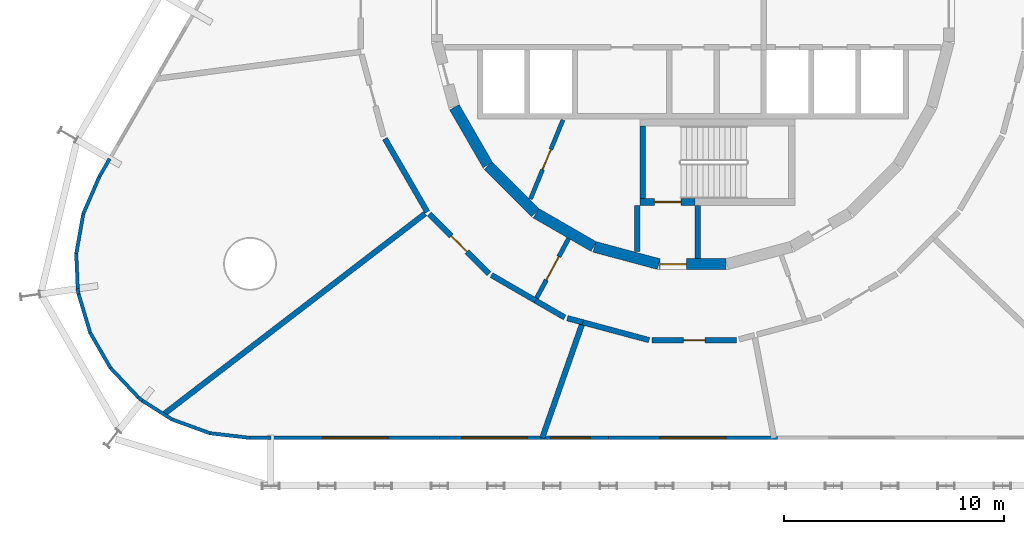
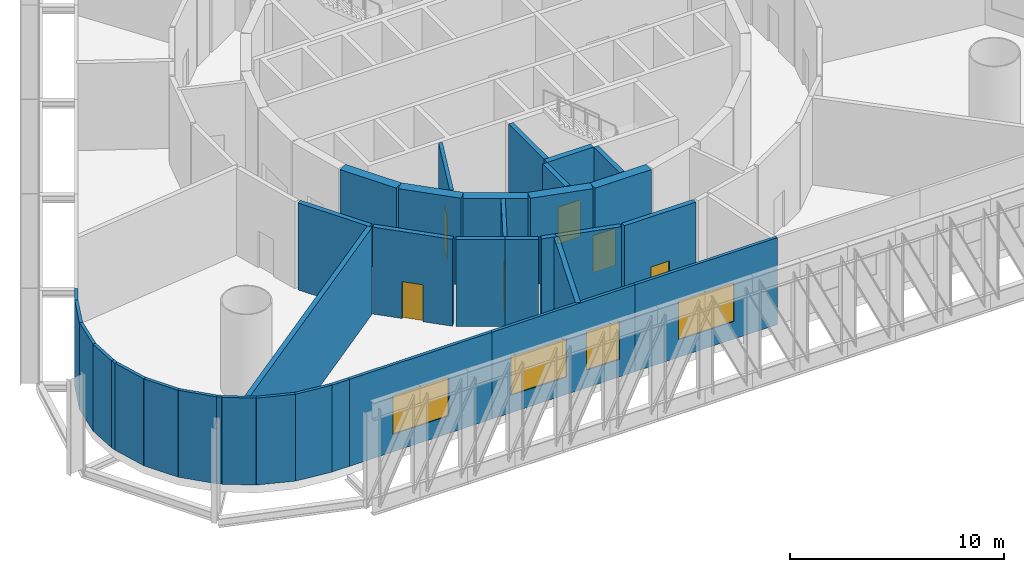
# One storey, part 5 of 11: 36 walls, 6 doors, 4 windows, 10 openings.
"""IFC4 building model written with IfcOpenShell, lengths in metres."""

from ifc_helpers import new_model, si_unit, direction, frame, frame_2d, origin, place, context, subcontext, project, spatial, rectangle, extrude, material, layer, layer_set, type_object, element, fill, save


model = new_model("IFC4")

# Units and contexts
model_context = context("Model", 3, precision=1e-05, world=origin(), true_north=direction((0.0, 1.0)))
body_context = subcontext(model_context, "Body", "Model", "MODEL_VIEW")
ifc_project = project(units=[si_unit("LENGTHUNIT", "METRE"), si_unit("AREAUNIT", "SQUARE_METRE"), si_unit("VOLUMEUNIT", "CUBIC_METRE"), si_unit("PLANEANGLEUNIT", "RADIAN"), si_unit("MASSUNIT", "GRAM", prefix="KILO")], contexts=[model_context])

# Site, building, storey
site_placement = place(None, origin())
site = spatial("IfcSite", under=ifc_project, at=site_placement, CompositionType="ELEMENT")
building_placement = place(site_placement, origin())
building = spatial("IfcBuilding", under=site, at=building_placement, Name="Spindle Arch Residences", CompositionType="ELEMENT")
storey_placement = place(building_placement, frame((0.0, 0.0, 33.0)))
storey = spatial("IfcBuildingStorey", under=building, at=storey_placement, Name="L06", CompositionType="ELEMENT", Elevation=33.0)

# Walls
ifc_material_1 = material(Name="Concrete C50/60", Category="concrete")
ifc_layer_1 = layer(ifc_material_1, 0.5)
ifc_layer_set_1 = layer_set([ifc_layer_1], Name="Core outline wall 500")
wall_type_1 = type_object("IfcWallType", Name="Core outline wall 500", PredefinedType="SHEAR", material=ifc_layer_set_1)
wall_1_placement = place(storey_placement, frame((-10.84521484375, -4.510498046875, 0.0), z_axis=(0.0, 0.0, 1.0), x_axis=(0.500087131594, -0.865975092491, 0.0)))
element("IfcWall", 1, at=wall_1_placement, inside=storey, type_object=wall_type_1, Name="Core outline wall 20", PredefinedType="SHEAR", context=body_context, shape_type="SweptSolid", body=[
    extrude(rectangle(XDim=3.03271484375, YDim=0.5, at=frame_2d((1.516357421875, 0.0))), origin(), (0.0, 0.0, 1.0), 4.949951171875),
])
wall_2_placement = place(storey_placement, frame((-9.30810546875, -7.163818359375, 0.0), z_axis=(0.0, 0.0, 1.0), x_axis=(0.707106781187, -0.707106781187, 0.0)))
element("IfcWall", 2, at=wall_2_placement, inside=storey, type_object=wall_type_1, Name="Core outline wall 21", PredefinedType="SHEAR", context=body_context, shape_type="SweptSolid", body=[
    extrude(rectangle(XDim=3.032470703125, YDim=0.5, at=frame_2d((1.51611328125, 0.0))), origin(), (0.0, 0.0, 1.0), 4.949951171875),
])
for number, where, z_axis, x_axis, name in (
    (3, (-7.13671875, -9.32861328125, 0.0), (0.0, 0.0, 1.0), (0.865975092491, -0.500087131594, 0.0), "Core outline wall 22"),
    (4, (-4.479248046875, -10.858154296875, 0.0), (0.0, 0.0, 1.0), (0.965948410781, -0.258734743916, 0.0), "Core outline wall 23"),
):
    element("IfcWall", number, at=place(storey_placement, frame(where, z_axis=z_axis, x_axis=x_axis)), inside=storey, type_object=wall_type_1, Name=name, PredefinedType="SHEAR", context=body_context, shape_type="SweptSolid", body=[
        extrude(rectangle(XDim=3.03271484375, YDim=0.5, at=frame_2d((1.516357421875, 0.0))), origin(), (0.0, 0.0, 1.0), 4.949951171875),
    ])

# Wall, opening, door
wall_3_placement = place(storey_placement, frame((-1.516357421875, -11.647216796875, 0.0), z_axis=(0.0, 0.0, 1.0), x_axis=(1.0, 0.0, 0.0)))
wall_3 = element("IfcWall", 5, at=wall_3_placement, inside=storey, type_object=wall_type_1, Name="Core outline wall 24", PredefinedType="SHEAR", context=body_context, shape_type="SweptSolid", body=[
    extrude(rectangle(XDim=3.03271484375, YDim=0.5, at=frame_2d((1.516357421875, 0.0))), origin(), (0.0, 0.0, 1.0), 4.949951171875),
])
opening_1_placement = place(wall_3_placement, frame((0.016357421875, 0.0, 0.0)))
opening_1 = element("IfcOpeningElement", 6, at=opening_1_placement, cuts=wall_3, Name="Opening L06-AD03", PredefinedType="OPENING", context=body_context, shape_type="SweptSolid", body=[
    extrude(rectangle(XDim=1.199951171875, YDim=2.10009765625, at=frame_2d((0.60009765625, 1.050048828125))), frame((0.0, 0.260009765625, 0.0), z_axis=(0.0, -1.0, 0.0), x_axis=(1.0, 0.0, 0.0)), (0.0, 0.0, 1.0), 0.52001953125),
])
ifc_material_2 = material(Name="Steel, fire-resisting door", Category="steel")
door_type_1 = type_object("IfcDoorType", Name="Stair airlock door 1200x2100", OperationType="SINGLE_SWING_LEFT", PredefinedType="DOOR", material=ifc_material_2)
door_1_placement = place(opening_1_placement, origin())
door_1 = element("IfcDoor", 7, at=door_1_placement, inside=storey, type_object=door_type_1, Name="Stair airlock door L06-AD03", OperationType="SINGLE_SWING_RIGHT", OverallHeight=2.10009765625, OverallWidth=1.199951171875, PredefinedType="DOOR", context=body_context, shape_type="SweptSolid", body=[
    extrude(rectangle(XDim=1.199951171875, YDim=2.10009765625, at=frame_2d((0.60009765625, 1.050048828125))), frame((0.0, 0.02490234375, 0.0), z_axis=(0.0, -1.0, 0.0), x_axis=(1.0, 0.0, 0.0)), (0.0, 0.0, 1.0), 0.050048828125),
])
fill(opening_1, door_1)

# Walls
ifc_material_3 = material(Name="Non-combustible mineral wool insulated aluminium faced external wall (K0)", Category="aluminium")
ifc_layer_2 = layer(ifc_material_3, 0.159912109375)
ifc_layer_set_2 = layer_set([ifc_layer_2], Name="Insulated external wall panel 160")
wall_type_2 = type_object("IfcWallType", Name="Insulated external wall panel 160", PredefinedType="STANDARD", material=ifc_layer_set_2)
wall_4_placement = place(storey_placement, frame((-26.53076171875, -6.852783203125, 0.0), z_axis=(0.0, 0.0, 1.0), x_axis=(-0.499998034377, -0.866026538634, 0.0)))
element("IfcWall", 8, at=wall_4_placement, inside=storey, type_object=wall_type_2, Name="Plant wall L06 bay 19.1", PredefinedType="STANDARD", context=body_context, shape_type="SweptSolid", body=[
    extrude(rectangle(XDim=0.94580078125, YDim=0.159912109375, at=frame_2d((0.472900390625, 0.0))), origin(), (0.0, 0.0, 1.0), 4.949951171875),
])
wall_5_placement = place(storey_placement, frame((-27.001708984375, -7.667724609375, 0.0), z_axis=(0.0, 0.0, 1.0), x_axis=(-0.395977414549, -0.918260250238, 0.0)))
element("IfcWall", 9, at=wall_5_placement, inside=storey, type_object=wall_type_2, Name="Plant wall L06 bay 19.2", PredefinedType="STANDARD", context=body_context, shape_type="SweptSolid", body=[
    extrude(rectangle(XDim=1.845947265625, YDim=0.159912109375, at=frame_2d((0.9228515625, 0.0))), origin(), (0.0, 0.0, 1.0), 4.949951171875),
])
wall_6_placement = place(storey_placement, frame((-27.72998046875, -9.353759765625, 0.0), z_axis=(0.0, 0.0, 1.0), x_axis=(-0.173732575917, -0.984792867595, 0.0)))
element("IfcWall", 10, at=wall_6_placement, inside=storey, type_object=wall_type_2, Name="Plant wall L06 bay 19.3", PredefinedType="STANDARD", context=body_context, shape_type="SweptSolid", body=[
    extrude(rectangle(XDim=1.847900390625, YDim=0.159912109375, at=frame_2d((0.923828125, 0.0))), origin(), (0.0, 0.0, 1.0), 4.949951171875),
])
wall_7_placement = place(storey_placement, frame((-28.05029296875, -11.1650390625, 0.0), z_axis=(0.0, 0.0, 1.0), x_axis=(0.042469293695, -0.999097772539, 0.0)))
element("IfcWall", 11, at=wall_7_placement, inside=storey, type_object=wall_type_2, Name="Plant wall L06 bay 19.4", PredefinedType="STANDARD", context=body_context, shape_type="SweptSolid", body=[
    extrude(rectangle(XDim=1.59814453125, YDim=0.159912109375, at=frame_2d((0.799072265625, 0.0))), origin(), (0.0, 0.0, 1.0), 4.949951171875),
])
wall_8_placement = place(storey_placement, frame((-27.982421875, -12.76171875, 0.0), z_axis=(0.0, 0.0, 1.0), x_axis=(0.158678095384, -0.987330371277, 0.0)))
element("IfcWall", 12, at=wall_8_placement, inside=storey, type_object=wall_type_2, Name="Plant wall L06 bay 20.1", PredefinedType="STANDARD", context=body_context, shape_type="SweptSolid", body=[
    extrude(rectangle(XDim=0.249267578125, YDim=0.159912109375, at=frame_2d((0.12451171875, 0.0))), origin(), (0.0, 0.0, 1.0), 4.949951171875),
])
wall_9_placement = place(storey_placement, frame((-27.944091796875, -13.002685546875, 0.0), z_axis=(0.0, 0.0, 1.0), x_axis=(0.286838279013, -0.957979019443, 0.0)))
element("IfcWall", 13, at=wall_9_placement, inside=storey, type_object=wall_type_2, Name="Plant wall L06 bay 20.2", PredefinedType="STANDARD", context=body_context, shape_type="SweptSolid", body=[
    extrude(rectangle(XDim=1.84619140625, YDim=0.159912109375, at=frame_2d((0.923095703125, 0.0))), origin(), (0.0, 0.0, 1.0), 4.949951171875),
])
wall_10_placement = place(storey_placement, frame((-27.418212890625, -14.7626953125, 0.0), z_axis=(0.0, 0.0, 1.0), x_axis=(0.499932070267, -0.866064619482, 0.0)))
element("IfcWall", 14, at=wall_10_placement, inside=storey, type_object=wall_type_2, Name="Plant wall L06 bay 20.3", PredefinedType="STANDARD", context=body_context, shape_type="SweptSolid", body=[
    extrude(rectangle(XDim=1.848388671875, YDim=0.159912109375, at=frame_2d((0.92431640625, 0.0))), origin(), (0.0, 0.0, 1.0), 4.949951171875),
])
wall_11_placement = place(storey_placement, frame((-26.49951171875, -16.35595703125, 0.0), z_axis=(0.0, 0.0, 1.0), x_axis=(0.686176861491, -0.727434749482, 0.0)))
element("IfcWall", 15, at=wall_11_placement, inside=storey, type_object=wall_type_2, Name="Plant wall L06 bay 20.4", PredefinedType="STANDARD", context=body_context, shape_type="SweptSolid", body=[
    extrude(rectangle(XDim=1.84619140625, YDim=0.159912109375, at=frame_2d((0.923095703125, 0.0))), origin(), (0.0, 0.0, 1.0), 4.949951171875),
])
wall_12_placement = place(storey_placement, frame((-25.236572265625, -17.6953125, 0.0), z_axis=(0.0, 0.0, 1.0), x_axis=(0.775874220568, -0.630887623795, 0.0)))
element("IfcWall", 16, at=wall_12_placement, inside=storey, type_object=wall_type_2, Name="Plant wall L06 bay 20.5", PredefinedType="STANDARD", context=body_context, shape_type="SweptSolid", body=[
    extrude(rectangle(XDim=0.249267578125, YDim=0.159912109375, at=frame_2d((0.12451171875, 0.0))), origin(), (0.0, 0.0, 1.0), 4.949951171875),
])
wall_13_placement = place(storey_placement, frame((-25.043212890625, -17.8525390625, 0.0), z_axis=(0.0, 0.0, 1.0), x_axis=(0.844000986035, -0.536341622076, 0.0)))
element("IfcWall", 17, at=wall_13_placement, inside=storey, type_object=wall_type_2, Name="Plant wall L06 bay 21.1", PredefinedType="STANDARD", context=body_context, shape_type="SweptSolid", body=[
    extrude(rectangle(XDim=1.59814453125, YDim=0.159912109375, at=frame_2d((0.799072265625, 0.0))), origin(), (0.0, 0.0, 1.0), 4.949951171875),
])
wall_14_placement = place(storey_placement, frame((-23.7021484375, -18.7060546875, 0.0), z_axis=(0.0, 0.0, 1.0), x_axis=(0.939716242701, -0.341955235673, 0.0)))
element("IfcWall", 18, at=wall_14_placement, inside=storey, type_object=wall_type_2, Name="Plant wall L06 bay 21.2", PredefinedType="STANDARD", context=body_context, shape_type="SweptSolid", body=[
    extrude(rectangle(XDim=1.84765625, YDim=0.159912109375, at=frame_2d((0.923828125, 0.0))), origin(), (0.0, 0.0, 1.0), 4.949951171875),
])
wall_15_placement = place(storey_placement, frame((-21.974609375, -19.3359375, 0.0), z_axis=(0.0, 0.0, 1.0), x_axis=(0.993233418606, -0.116135163342, 0.0)))
element("IfcWall", 19, at=wall_15_placement, inside=storey, type_object=wall_type_2, Name="Plant wall L06 bay 21.3", PredefinedType="STANDARD", context=body_context, shape_type="SweptSolid", body=[
    extrude(rectangle(XDim=1.845703125, YDim=0.159912109375, at=frame_2d((0.9228515625, 0.0))), origin(), (0.0, 0.0, 1.0), 4.949951171875),
])
wall_16_placement = place(storey_placement, frame((-20.14599609375, -19.5498046875, 0.0), z_axis=(0.0, 0.0, 1.0), x_axis=(1.0, 0.0, 0.0)))
element("IfcWall", 20, at=wall_16_placement, inside=storey, type_object=wall_type_2, Name="Plant wall L06 bay 21.4", PredefinedType="STANDARD", context=body_context, shape_type="SweptSolid", body=[
    extrude(rectangle(XDim=0.94580078125, YDim=0.159912109375, at=frame_2d((0.472900390625, 0.0))), origin(), (0.0, 0.0, 1.0), 4.949951171875),
])

# Wall, opening, window
wall_17_placement = place(storey_placement, frame((-19.2001953125, -19.5498046875, 0.0), z_axis=(0.0, 0.0, 1.0), x_axis=(1.0, 0.0, 0.0)))
wall_17 = element("IfcWall", 21, at=wall_17_placement, inside=storey, type_object=wall_type_2, Name="Plant wall L06 bay 22", PredefinedType="STANDARD", context=body_context, shape_type="SweptSolid", body=[
    extrude(rectangle(XDim=7.68017578125, YDim=0.159912109375, at=frame_2d((3.840087890625, 0.0))), origin(), (0.0, 0.0, 1.0), 4.949951171875),
])
opening_2_placement = place(wall_17_placement, frame((2.340087890625, 0.0, 1.0)))
opening_2 = element("IfcOpeningElement", 22, at=opening_2_placement, cuts=wall_17, Name="Opening LW1", PredefinedType="OPENING", context=body_context, shape_type="SweptSolid", body=[
    extrude(rectangle(XDim=3.0, YDim=2.199951171875, at=frame_2d((1.5, 1.10009765625))), frame((0.0, 0.08984375, 0.0), z_axis=(0.0, -1.0, 0.0), x_axis=(1.0, 0.0, 0.0)), (0.0, 0.0, 1.0), 0.179931640625),
])
ifc_material_4 = material(Name="Bronze anodised aluminium fixed louvre", Category="aluminium")
window_type_1 = type_object("IfcWindowType", Name="Plant louvre opening 3000x2200", PartitioningType="SINGLE_PANEL", PredefinedType="WINDOW", material=ifc_material_4)
window_1_placement = place(opening_2_placement, origin())
window_1 = element("IfcWindow", 23, at=window_1_placement, inside=storey, type_object=window_type_1, Name="Louvre opening L06 bay 22.1", OverallHeight=2.199951171875, OverallWidth=3.0, PartitioningType="SINGLE_PANEL", PredefinedType="WINDOW", context=body_context, shape_type="SweptSolid", body=[
    extrude(rectangle(XDim=3.0, YDim=2.199951171875, at=frame_2d((1.5, 1.10009765625))), frame((0.0, 0.030029296875, 0.0), z_axis=(0.0, -1.0, 0.0), x_axis=(1.0, 0.0, 0.0)), (0.0, 0.0, 1.0), 0.06005859375),
])
fill(opening_2, window_1)

# Wall, openings, windows
wall_18_placement = place(storey_placement, frame((-11.52001953125, -19.5498046875, 0.0), z_axis=(0.0, 0.0, 1.0), x_axis=(1.0, 0.0, 0.0)))
wall_18 = element("IfcWall", 24, at=wall_18_placement, inside=storey, type_object=wall_type_2, Name="Plant wall L06 bay 23", PredefinedType="STANDARD", context=body_context, shape_type="SweptSolid", body=[
    extrude(rectangle(XDim=7.679931640625, YDim=0.159912109375, at=frame_2d((3.83984375, 0.0))), origin(), (0.0, 0.0, 1.0), 4.949951171875),
])
opening_3_placement = place(wall_18_placement, frame((0.99755859375, 0.0, 1.0)))
opening_3 = element("IfcOpeningElement", 25, at=opening_3_placement, cuts=wall_18, Name="Opening LW1", PredefinedType="OPENING", context=body_context, shape_type="SweptSolid", body=[
    extrude(rectangle(XDim=3.0, YDim=2.199951171875, at=frame_2d((1.5, 1.10009765625))), frame((0.0, 0.08984375, 0.0), z_axis=(0.0, -1.0, 0.0), x_axis=(1.0, 0.0, 0.0)), (0.0, 0.0, 1.0), 0.179931640625),
])
opening_4_placement = place(wall_18_placement, frame((5.0625, 0.0, 1.0)))
opening_4 = element("IfcOpeningElement", 26, at=opening_4_placement, cuts=wall_18, Name="Opening LW3", PredefinedType="OPENING", context=body_context, shape_type="SweptSolid", body=[
    extrude(rectangle(XDim=1.800048828125, YDim=2.199951171875, at=frame_2d((0.89990234375, 1.10009765625))), frame((0.0, 0.08984375, 0.0), z_axis=(0.0, -1.0, 0.0), x_axis=(1.0, 0.0, 0.0)), (0.0, 0.0, 1.0), 0.179931640625),
])
ifc_material_5 = material(Name="Bronze anodised aluminium fixed louvre", Category="aluminium")
window_type_2 = type_object("IfcWindowType", Name="Plant louvre opening 1800x2200", PartitioningType="SINGLE_PANEL", PredefinedType="WINDOW", material=ifc_material_5)
window_2_placement = place(opening_4_placement, origin())
window_2 = element("IfcWindow", 27, at=window_2_placement, inside=storey, type_object=window_type_2, Name="Louvre opening L06 bay 23.2", OverallHeight=2.199951171875, OverallWidth=1.800048828125, PartitioningType="SINGLE_PANEL", PredefinedType="WINDOW", context=body_context, shape_type="SweptSolid", body=[
    extrude(rectangle(XDim=1.800048828125, YDim=2.199951171875, at=frame_2d((0.89990234375, 1.10009765625))), frame((0.0, 0.030029296875, 0.0), z_axis=(0.0, -1.0, 0.0), x_axis=(1.0, 0.0, 0.0)), (0.0, 0.0, 1.0), 0.06005859375),
])
fill(opening_4, window_2)
window_3_placement = place(opening_3_placement, origin())
window_3 = element("IfcWindow", 28, at=window_3_placement, inside=storey, type_object=window_type_1, Name="Louvre opening L06 bay 23.1", OverallHeight=2.199951171875, OverallWidth=3.0, PartitioningType="SINGLE_PANEL", PredefinedType="WINDOW", context=body_context, shape_type="SweptSolid", body=[
    extrude(rectangle(XDim=3.0, YDim=2.199951171875, at=frame_2d((1.5, 1.10009765625))), frame((0.0, 0.030029296875, 0.0), z_axis=(0.0, -1.0, 0.0), x_axis=(1.0, 0.0, 0.0)), (0.0, 0.0, 1.0), 0.06005859375),
])
fill(opening_3, window_3)

# Wall, opening, window
wall_19_placement = place(storey_placement, frame((-3.840087890625, -19.5498046875, 0.0), z_axis=(0.0, 0.0, 1.0), x_axis=(1.0, 0.0, 0.0)))
wall_19 = element("IfcWall", 29, at=wall_19_placement, inside=storey, type_object=wall_type_2, Name="Plant wall L06 bay 24", PredefinedType="STANDARD", context=body_context, shape_type="SweptSolid", body=[
    extrude(rectangle(XDim=7.68017578125, YDim=0.159912109375, at=frame_2d((3.840087890625, 0.0))), origin(), (0.0, 0.0, 1.0), 4.949951171875),
])
opening_5_placement = place(wall_19_placement, frame((2.340087890625, 0.0, 1.0)))
opening_5 = element("IfcOpeningElement", 30, at=opening_5_placement, cuts=wall_19, Name="Opening LW1", PredefinedType="OPENING", context=body_context, shape_type="SweptSolid", body=[
    extrude(rectangle(XDim=3.0, YDim=2.199951171875, at=frame_2d((1.5, 1.10009765625))), frame((0.0, 0.08984375, 0.0), z_axis=(0.0, -1.0, 0.0), x_axis=(1.0, 0.0, 0.0)), (0.0, 0.0, 1.0), 0.179931640625),
])
window_4_placement = place(opening_5_placement, origin())
window_4 = element("IfcWindow", 31, at=window_4_placement, inside=storey, type_object=window_type_1, Name="Louvre opening L06 bay 24.1", OverallHeight=2.199951171875, OverallWidth=3.0, PartitioningType="SINGLE_PANEL", PredefinedType="WINDOW", context=body_context, shape_type="SweptSolid", body=[
    extrude(rectangle(XDim=3.0, YDim=2.199951171875, at=frame_2d((1.5, 1.10009765625))), frame((0.0, 0.030029296875, 0.0), z_axis=(0.0, -1.0, 0.0), x_axis=(1.0, 0.0, 0.0)), (0.0, 0.0, 1.0), 0.06005859375),
])
fill(opening_5, window_4)

# Walls
ifc_material_6 = material(Name="Concrete C25/30 wall", Category="concrete")
ifc_layer_3 = layer(ifc_material_6, 0.25)
ifc_layer_set_3 = layer_set([ifc_layer_3], Name="Partition EI 120 250 plant")
wall_type_3 = type_object("IfcWallType", Name="Partition EI 120 250 plant", PredefinedType="PARTITIONING", material=ifc_layer_set_3)
wall_20_placement = place(storey_placement, frame((-14.00732421875, -5.938232421875, 0.0), z_axis=(0.0, 0.0, 1.0), x_axis=(0.500708693508, -0.865615852585, 0.0)))
element("IfcWall", 32, at=wall_20_placement, inside=storey, type_object=wall_type_3, Name="L06-W004", PredefinedType="PARTITIONING", context=body_context, shape_type="SweptSolid", body=[
    extrude(rectangle(XDim=3.84912109375, YDim=0.25, at=frame_2d((1.924560546875, 0.0))), origin(), (0.0, 0.0, 1.0), 4.949951171875),
])
wall_21_placement = place(storey_placement, frame((-12.17919921875, -9.34619140625, 0.0), z_axis=(0.0, 0.0, 1.0), x_axis=(-0.793242531183, -0.608905811043, 0.0)))
element("IfcWall", 33, at=wall_21_placement, inside=storey, type_object=wall_type_3, Name="L06-W008", PredefinedType="PARTITIONING", context=body_context, shape_type="SweptSolid", body=[
    extrude(rectangle(XDim=14.98583984375, YDim=0.25, at=frame_2d((7.492919921875, 0.0))), origin(), (0.0, 0.0, 1.0), 4.949951171875),
])

# Wall, opening, door
wall_22_placement = place(storey_placement, frame((-11.99169921875, -9.3583984375, 0.0), z_axis=(0.0, 0.0, 1.0), x_axis=(0.707106781187, -0.707106781187, 0.0)))
wall_22 = element("IfcWall", 34, at=wall_22_placement, inside=storey, type_object=wall_type_3, Name="L06-W009", PredefinedType="PARTITIONING", context=body_context, shape_type="SweptSolid", body=[
    extrude(rectangle(XDim=3.84912109375, YDim=0.25, at=frame_2d((1.924560546875, 0.0))), origin(), (0.0, 0.0, 1.0), 4.949951171875),
])
opening_6_placement = place(wall_22_placement, frame((1.424560546875, 0.0, 0.0)))
opening_6 = element("IfcOpeningElement", 35, at=opening_6_placement, cuts=wall_22, Name="Opening L06-D03", PredefinedType="OPENING", context=body_context, shape_type="SweptSolid", body=[
    extrude(rectangle(XDim=1.0, YDim=2.10009765625, at=frame_2d((0.5, 1.050048828125))), frame((0.0, 0.135009765625, 0.0), z_axis=(0.0, -1.0, 0.0), x_axis=(1.0, 0.0, 0.0)), (0.0, 0.0, 1.0), 0.27001953125),
])
ifc_material_7 = material(Name="Steel door leaf, painted", Category="steel")
door_type_2 = type_object("IfcDoorType", Name="Door 1000x2100 EI 60", OperationType="SINGLE_SWING_LEFT", PredefinedType="DOOR", material=ifc_material_7)
door_2_placement = place(opening_6_placement, origin())
door_2 = element("IfcDoor", 36, at=door_2_placement, inside=storey, type_object=door_type_2, Name="L06-D03", OperationType="SINGLE_SWING_LEFT", OverallHeight=2.10009765625, OverallWidth=1.0, PredefinedType="DOOR", context=body_context, shape_type="SweptSolid", body=[
    extrude(rectangle(XDim=1.0, YDim=2.10009765625, at=frame_2d((0.5, 1.050048828125))), frame((0.0, 0.02490234375, 0.0), z_axis=(0.0, -1.0, 0.0), x_axis=(1.0, 0.0, 0.0)), (0.0, 0.0, 1.0), 0.050048828125),
])
fill(opening_6, door_2)

# Walls
wall_23_placement = place(storey_placement, frame((-9.161865234375, -12.142578125, 0.0), z_axis=(0.0, 0.0, 1.0), x_axis=(0.865576208327, -0.500777223502, 0.0)))
element("IfcWall", 37, at=wall_23_placement, inside=storey, type_object=wall_type_3, Name="L06-W012", PredefinedType="PARTITIONING", context=body_context, shape_type="SweptSolid", body=[
    extrude(rectangle(XDim=2.303466796875, YDim=0.25, at=frame_2d((1.15185546875, 0.0))), origin(), (0.0, 0.0, 1.0), 4.949951171875),
])
wall_24_placement = place(storey_placement, frame((-7.16796875, -13.296142578125, 0.0), z_axis=(0.0, 0.0, 1.0), x_axis=(0.865606471313, -0.500724911325, 0.0)))
element("IfcWall", 38, at=wall_24_placement, inside=storey, type_object=wall_type_3, Name="L06-W017", PredefinedType="PARTITIONING", context=body_context, shape_type="SweptSolid", body=[
    extrude(rectangle(XDim=1.545654296875, YDim=0.25, at=frame_2d((0.77294921875, 0.0))), origin(), (0.0, 0.0, 1.0), 4.949951171875),
])
wall_25_placement = place(storey_placement, frame((-5.709228515625, -14.102294921875, 0.0), z_axis=(0.0, 0.0, 1.0), x_axis=(0.965791356005, -0.25932037457, 0.0)))
element("IfcWall", 39, at=wall_25_placement, inside=storey, type_object=wall_type_3, Name="L06-W020", PredefinedType="PARTITIONING", context=body_context, shape_type="SweptSolid", body=[
    extrude(rectangle(XDim=0.723876953125, YDim=0.25, at=frame_2d((0.36181640625, 0.0))), origin(), (0.0, 0.0, 1.0), 4.949951171875),
])

# Wall, opening, door
ifc_material_8 = material(Name="Gypsum board partition on steel studs", Category="steel")
ifc_layer_4 = layer(ifc_material_8, 0.199951171875)
ifc_layer_set_4 = layer_set([ifc_layer_4], Name="Partition EI 60 200 amenity")
wall_type_4 = type_object("IfcWallType", Name="Partition EI 60 200 amenity", PredefinedType="PARTITIONING", material=ifc_layer_set_4)
wall_26_placement = place(storey_placement, frame((-7.108642578125, -13.18603515625, 0.0), z_axis=(0.0, 0.0, 1.0), x_axis=(0.474511788195, 0.880249148176, 0.0)))
wall_26 = element("IfcWall", 40, at=wall_26_placement, inside=storey, type_object=wall_type_4, Name="L06-W018", PredefinedType="PARTITIONING", context=body_context, shape_type="SweptSolid", body=[
    extrude(rectangle(XDim=3.07421875, YDim=0.199951171875, at=frame_2d((1.537109375, 0.0))), origin(), (0.0, 0.0, 1.0), 4.949951171875),
])
opening_7_placement = place(wall_26_placement, frame((0.93701171875, 0.0, 0.0)))
opening_7 = element("IfcOpeningElement", 41, at=opening_7_placement, cuts=wall_26, Name="Opening L06-D13", PredefinedType="OPENING", context=body_context, shape_type="SweptSolid", body=[
    extrude(rectangle(XDim=1.199951171875, YDim=2.10009765625, at=frame_2d((0.60009765625, 1.050048828125))), frame((0.0, 0.10986328125, 0.0), z_axis=(0.0, -1.0, 0.0), x_axis=(1.0, 0.0, 0.0)), (0.0, 0.0, 1.0), 0.219970703125),
])
ifc_material_9 = material(Name="Steel door leaf, painted", Category="steel")
door_type_3 = type_object("IfcDoorType", Name="Door 1200x2100 EI 60", OperationType="SINGLE_SWING_LEFT", PredefinedType="DOOR", material=ifc_material_9)
door_3_placement = place(opening_7_placement, origin())
door_3 = element("IfcDoor", 42, at=door_3_placement, inside=storey, type_object=door_type_3, Name="L06-D13", OperationType="SINGLE_SWING_LEFT", OverallHeight=2.10009765625, OverallWidth=1.199951171875, PredefinedType="DOOR", context=body_context, shape_type="SweptSolid", body=[
    extrude(rectangle(XDim=1.199951171875, YDim=2.10009765625, at=frame_2d((0.60009765625, 1.050048828125))), frame((0.0, 0.02490234375, 0.0), z_axis=(0.0, -1.0, 0.0), x_axis=(1.0, 0.0, 0.0)), (0.0, 0.0, 1.0), 0.050048828125),
])
fill(opening_7, door_3)

# Walls
ifc_material_10 = material(Name="Concrete C25/30 wall", Category="concrete")
ifc_layer_5 = layer(ifc_material_10, 0.25)
ifc_layer_set_5 = layer_set([ifc_layer_5], Name="Partition REI 120 250 refuge")
wall_type_5 = type_object("IfcWallType", Name="Partition REI 120 250 refuge", PredefinedType="PARTITIONING", material=ifc_layer_set_5)
wall_27_placement = place(storey_placement, frame((-5.05126953125, -14.407958984375, 0.0), z_axis=(0.0, 0.0, 1.0), x_axis=(-0.330509965362, -0.943802502008, 0.0)))
element("IfcWall", 43, at=wall_27_placement, inside=storey, type_object=wall_type_5, Name="L06-W021", PredefinedType="PARTITIONING", context=body_context, shape_type="SweptSolid", body=[
    extrude(rectangle(XDim=5.452880859375, YDim=0.25, at=frame_2d((2.7265625, 0.0))), origin(), (0.0, 0.0, 1.0), 4.949951171875),
])
wall_28_placement = place(storey_placement, frame((-5.010009765625, -14.2900390625, 0.0), z_axis=(0.0, 0.0, 1.0), x_axis=(0.965858087727, -0.259071716659, 0.0)))
element("IfcWall", 44, at=wall_28_placement, inside=storey, type_object=wall_type_5, Name="L06-W022", PredefinedType="PARTITIONING", context=body_context, shape_type="SweptSolid", body=[
    extrude(rectangle(XDim=3.126708984375, YDim=0.25, at=frame_2d((1.5634765625, 0.0))), origin(), (0.0, 0.0, 1.0), 4.949951171875),
])

# Wall, opening, door
wall_29_placement = place(storey_placement, frame((-1.864990234375, -15.10009765625, 0.0), z_axis=(0.0, 0.0, 1.0), x_axis=(1.0, 0.0, 0.0)))
wall_29 = element("IfcWall", 45, at=wall_29_placement, inside=storey, type_object=wall_type_5, Name="L06-W023", PredefinedType="PARTITIONING", context=body_context, shape_type="SweptSolid", body=[
    extrude(rectangle(XDim=3.85498046875, YDim=0.25, at=frame_2d((1.927490234375, 0.0))), origin(), (0.0, 0.0, 1.0), 4.949951171875),
])
opening_8_placement = place(wall_29_placement, frame((1.427490234375, 0.0, 0.0)))
opening_8 = element("IfcOpeningElement", 46, at=opening_8_placement, cuts=wall_29, Name="Opening L06-D01", PredefinedType="OPENING", context=body_context, shape_type="SweptSolid", body=[
    extrude(rectangle(XDim=1.0, YDim=2.10009765625, at=frame_2d((0.5, 1.050048828125))), frame((0.0, 0.135009765625, 0.0), z_axis=(0.0, -1.0, 0.0), x_axis=(1.0, 0.0, 0.0)), (0.0, 0.0, 1.0), 0.27001953125),
])
door_4_placement = place(opening_8_placement, origin())
door_4 = element("IfcDoor", 47, at=door_4_placement, inside=storey, type_object=door_type_2, Name="L06-D01", OperationType="SINGLE_SWING_LEFT", OverallHeight=2.10009765625, OverallWidth=1.0, PredefinedType="DOOR", context=body_context, shape_type="SweptSolid", body=[
    extrude(rectangle(XDim=1.0, YDim=2.10009765625, at=frame_2d((0.5, 1.050048828125))), frame((0.0, 0.02490234375, 0.0), z_axis=(0.0, -1.0, 0.0), x_axis=(1.0, 0.0, 0.0)), (0.0, 0.0, 1.0), 0.050048828125),
])
fill(opening_8, door_4)

ifc_material_11 = material(Name="Concrete C25/30", Category="concrete")
ifc_layer_6 = layer(ifc_material_11, 0.18994140625)
ifc_layer_set_6 = layer_set([ifc_layer_6], Name="Plant room partition 190")
wall_type_6 = type_object("IfcWallType", Name="Plant room partition 190", PredefinedType="PARTITIONING", material=ifc_layer_set_6)
wall_30_placement = place(storey_placement, frame((-7.385009765625, -8.680908203125, 0.0), z_axis=(0.0, 0.0, 1.0), x_axis=(0.379804590409, 0.925066739811, 0.0)))
wall_30 = element("IfcWall", 48, at=wall_30_placement, inside=storey, type_object=wall_type_6, Name="Core plant room partition", PredefinedType="PARTITIONING", context=body_context, shape_type="SweptSolid", body=[
    extrude(rectangle(XDim=3.885009765625, YDim=0.18994140625, at=frame_2d((1.9423828125, 0.0))), origin(), (0.0, 0.0, 1.0), 4.949951171875),
])
opening_9_placement = place(wall_30_placement, frame((1.442626953125, 0.0, 0.0)))
opening_9 = element("IfcOpeningElement", 49, at=opening_9_placement, cuts=wall_30, Name="Opening L06-PD06", PredefinedType="OPENING", context=body_context, shape_type="SweptSolid", body=[
    extrude(rectangle(XDim=1.0, YDim=2.39990234375, at=frame_2d((0.5, 1.199951171875))), frame((0.0, 0.10498046875, 0.0), z_axis=(0.0, -1.0, 0.0), x_axis=(1.0, 0.0, 0.0)), (0.0, 0.0, 1.0), 0.2099609375),
])
ifc_material_12 = material(Name="Steel, fire-resisting door", Category="steel")
door_type_4 = type_object("IfcDoorType", Name="Plant room door 1000x2400", OperationType="SINGLE_SWING_LEFT", PredefinedType="DOOR", material=ifc_material_12)
door_5_placement = place(opening_9_placement, origin())
door_5 = element("IfcDoor", 50, at=door_5_placement, inside=storey, type_object=door_type_4, Name="Plant room door L06-PD06", OperationType="SINGLE_SWING_LEFT", OverallHeight=2.39990234375, OverallWidth=1.0, PredefinedType="DOOR", context=body_context, shape_type="SweptSolid", body=[
    extrude(rectangle(XDim=1.0, YDim=2.39990234375, at=frame_2d((0.5, 1.199951171875))), frame((0.0, 0.02490234375, 0.0), z_axis=(0.0, -1.0, 0.0), x_axis=(1.0, 0.0, 0.0)), (0.0, 0.0, 1.0), 0.050048828125),
])
fill(opening_9, door_5)

# Walls
ifc_material_13 = material(Name="Concrete C40/50", Category="concrete")
ifc_layer_7 = layer(ifc_material_13, 0.25)
ifc_layer_set_7 = layer_set([ifc_layer_7], Name="Stair airlock wall 250")
wall_type_7 = type_object("IfcWallType", Name="Stair airlock wall 250", PredefinedType="SHEAR", material=ifc_layer_set_7)
wall_31_placement = place(storey_placement, frame((-2.52490234375, -8.969970703125, 0.0), z_axis=(0.0, 0.0, 1.0), x_axis=(0.0, -1.0, 0.0)))
element("IfcWall", 51, at=wall_31_placement, inside=storey, type_object=wall_type_7, Name="Stair ST-3 airlock wall W", PredefinedType="SHEAR", context=body_context, shape_type="SweptSolid", body=[
    extrude(rectangle(XDim=2.110107421875, YDim=0.25, at=frame_2d((1.05517578125, 0.0))), origin(), (0.0, 0.0, 1.0), 4.949951171875),
])
wall_32_placement = place(storey_placement, frame((0.22509765625, -8.969970703125, 0.0), z_axis=(0.0, 0.0, 1.0), x_axis=(0.0, -1.0, 0.0)))
element("IfcWall", 52, at=wall_32_placement, inside=storey, type_object=wall_type_7, Name="Stair ST-3 airlock wall E", PredefinedType="SHEAR", context=body_context, shape_type="SweptSolid", body=[
    extrude(rectangle(XDim=2.409912109375, YDim=0.25, at=frame_2d((1.205078125, 0.0))), origin(), (0.0, 0.0, 1.0), 4.949951171875),
])
ifc_material_14 = material(Name="Concrete C50/60", Category="concrete")
ifc_layer_8 = layer(ifc_material_14, 0.25)
ifc_layer_set_8 = layer_set([ifc_layer_8], Name="Stair enclosure wall 250")
wall_type_8 = type_object("IfcWallType", Name="Stair enclosure wall 250", PredefinedType="SHEAR", material=ifc_layer_set_8)
wall_33_placement = place(storey_placement, frame((-2.27490234375, -8.669921875, 0.0), z_axis=(0.0, 0.0, 1.0), x_axis=(0.0, 1.0, 0.0)))
element("IfcWall", 53, at=wall_33_placement, inside=storey, type_object=wall_type_8, Name="Stair ST-3 enclosure wall W", PredefinedType="SHEAR", context=body_context, shape_type="SweptSolid", body=[
    extrude(rectangle(XDim=3.31982421875, YDim=0.25, at=frame_2d((1.659912109375, 0.0))), origin(), (0.0, 0.0, 1.0), 4.949951171875),
])

# Wall, opening, door
ifc_material_15 = material(Name="Concrete C50/60", Category="concrete")
ifc_layer_9 = layer(ifc_material_15, 0.300048828125)
ifc_layer_set_9 = layer_set([ifc_layer_9], Name="Stair enclosure wall 300")
wall_type_9 = type_object("IfcWallType", Name="Stair enclosure wall 300", PredefinedType="SHEAR", material=ifc_layer_set_9)
wall_34_placement = place(storey_placement, frame((-2.39990234375, -8.820068359375, 0.0), z_axis=(0.0, 0.0, 1.0), x_axis=(1.0, 0.0, 0.0)))
wall_34 = element("IfcWall", 54, at=wall_34_placement, inside=storey, type_object=wall_type_9, Name="Stair ST-3 door wall", PredefinedType="SHEAR", context=body_context, shape_type="SweptSolid", body=[
    extrude(rectangle(XDim=2.5, YDim=0.300048828125, at=frame_2d((1.25, 0.0))), origin(), (0.0, 0.0, 1.0), 4.949951171875),
])
opening_10_placement = place(wall_34_placement, frame((0.64990234375, 0.0, 0.0)))
opening_10 = element("IfcOpeningElement", 55, at=opening_10_placement, cuts=wall_34, Name="Opening L06-SD03", PredefinedType="OPENING", context=body_context, shape_type="SweptSolid", body=[
    extrude(rectangle(XDim=1.199951171875, YDim=2.10009765625, at=frame_2d((0.60009765625, 1.050048828125))), frame((0.0, 0.16015625, 0.0), z_axis=(0.0, -1.0, 0.0), x_axis=(1.0, 0.0, 0.0)), (0.0, 0.0, 1.0), 0.320068359375),
])
ifc_material_16 = material(Name="Steel, fire-resisting door", Category="steel")
door_type_5 = type_object("IfcDoorType", Name="Stair door 1200x2100", OperationType="SINGLE_SWING_RIGHT", PredefinedType="DOOR", material=ifc_material_16)
door_6_placement = place(opening_10_placement, origin())
door_6 = element("IfcDoor", 56, at=door_6_placement, inside=storey, type_object=door_type_5, Name="Stair door L06-SD03", OperationType="SINGLE_SWING_LEFT", OverallHeight=2.10009765625, OverallWidth=1.199951171875, PredefinedType="DOOR", context=body_context, shape_type="SweptSolid", body=[
    extrude(rectangle(XDim=1.199951171875, YDim=2.10009765625, at=frame_2d((0.60009765625, 1.050048828125))), frame((0.0, 0.02490234375, 0.0), z_axis=(0.0, -1.0, 0.0), x_axis=(1.0, 0.0, 0.0)), (0.0, 0.0, 1.0), 0.050048828125),
])
fill(opening_10, door_6)

save(model, "model.ifc")
